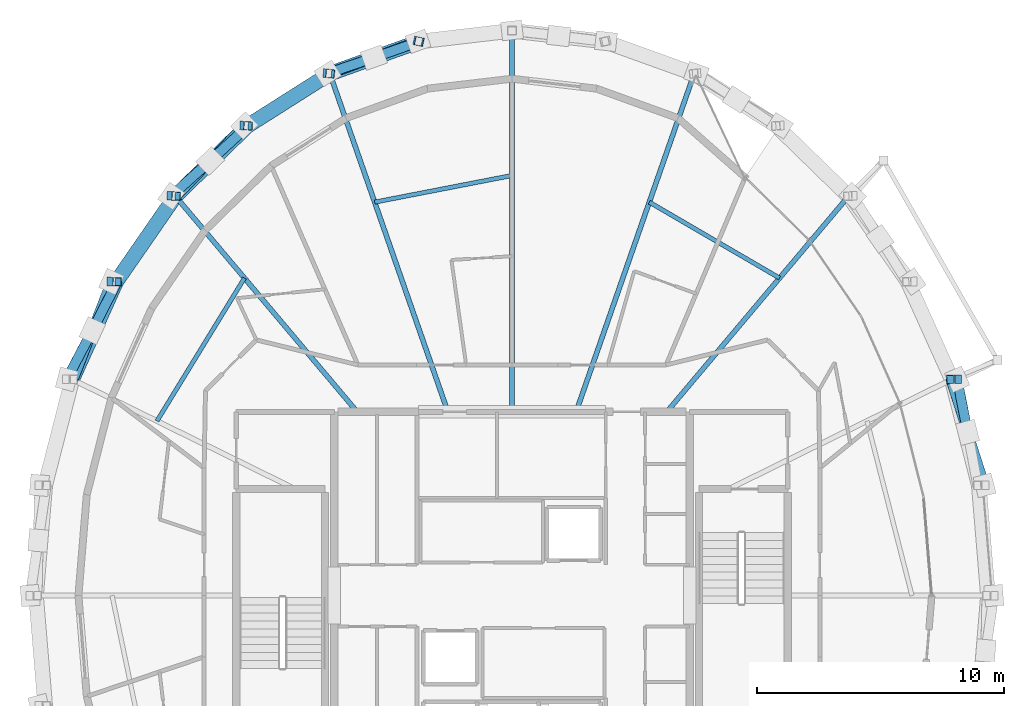
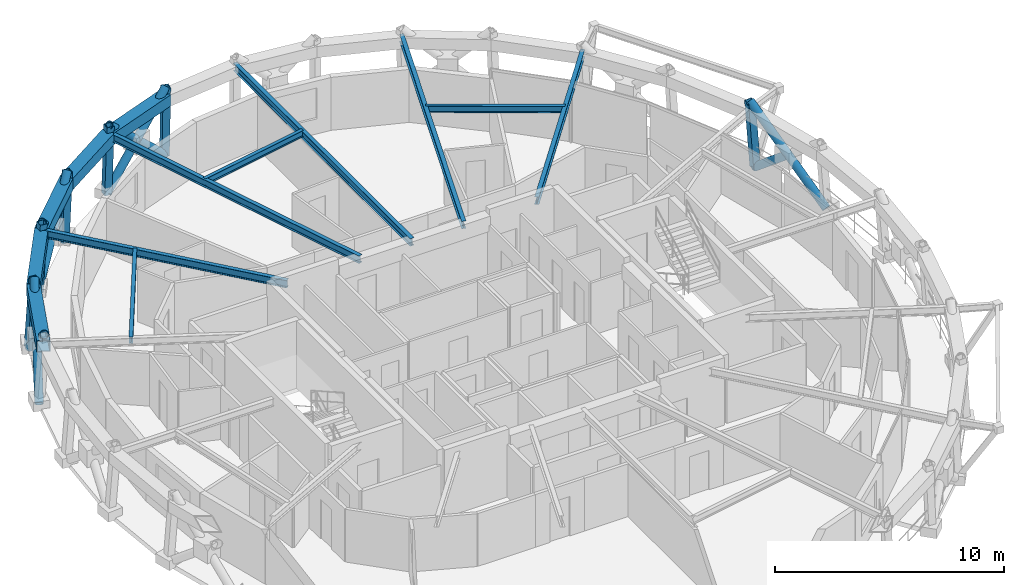
# One storey, part 6 of 14: 17 members, 13 beams.
"""IFC4 building model written with IfcOpenShell, lengths in metres."""

from ifc_helpers import new_model, si_unit, direction, frame, origin, origin_2d, place, context, subcontext, project, spatial, hollow_rectangle, hollow_circle, i_section, extrude, material, material_profile, profile_set, type_object, element, save


model = new_model("IFC4")

# Units and contexts
model_context = context("Model", 3, precision=1e-05, world=origin(), true_north=direction((0.0, 1.0)))
body_context = subcontext(model_context, "Body", "Model", "MODEL_VIEW")
ifc_project = project(units=[si_unit("LENGTHUNIT", "METRE"), si_unit("AREAUNIT", "SQUARE_METRE"), si_unit("VOLUMEUNIT", "CUBIC_METRE"), si_unit("PLANEANGLEUNIT", "RADIAN"), si_unit("MASSUNIT", "GRAM", prefix="KILO")], contexts=[model_context])

# Site, building, storey
site_placement = place(None, origin())
site = spatial("IfcSite", under=ifc_project, at=site_placement, CompositionType="ELEMENT")
building_placement = place(site_placement, origin())
building = spatial("IfcBuilding", under=site, at=building_placement, Name="Veldorina Hangang Commons", CompositionType="ELEMENT")
storey_placement = place(building_placement, frame((0.0, 0.0, 294.0)))
storey = spatial("IfcBuildingStorey", under=building, at=storey_placement, Name="L77", CompositionType="ELEMENT", Elevation=294.0)

# Beams
ifc_material_1 = material(Name="Steel SM460-TMC", Category="steel")
ifc_material_profile_1 = material_profile(ifc_material_1, hollow_rectangle(XDim=0.60009765625, YDim=0.60009765625, WallThickness=0.030029296875, at=origin_2d()), Name="BOX-600x600x30")
ifc_profile_set_1 = profile_set([ifc_material_profile_1], Name="Steel SM460-TMC")
beam_type_1 = type_object("IfcBeamType", Name="BM-BLT600", PredefinedType="BEAM", material=ifc_profile_set_1)
beam_1_placement = place(storey_placement, frame((28.235107421875, 46.4619140625, 3.0), z_axis=(-0.940889029654, -0.338714974392, 0.0), x_axis=(0.338714974392, -0.940889029654, 0.0)))
element("IfcBeam", 1, at=beam_1_placement, inside=storey, type_object=beam_type_1, Name="L77 perimeter hoop ring beam 09", PredefinedType="BEAM", context=body_context, shape_type="SweptSolid", body=[
    extrude(hollow_rectangle(XDim=0.60009765625, YDim=0.60009765625, WallThickness=0.030029296875, at=origin_2d()), origin(), (0.0, 0.0, 1.0), 3.84765625),
])
beam_2_placement = place(storey_placement, frame((24.614990234375, 45.15869140625, 3.0), z_axis=(-0.844441768272, -0.535647365341, 0.0), x_axis=(0.535647365341, -0.844441768272, 0.0)))
element("IfcBeam", 2, at=beam_2_placement, inside=storey, type_object=beam_type_1, Name="L77 perimeter hoop ring beam 10", PredefinedType="BEAM", context=body_context, shape_type="SweptSolid", body=[
    extrude(hollow_rectangle(XDim=0.60009765625, YDim=0.60009765625, WallThickness=0.030029296875, at=origin_2d()), origin(), (0.0, 0.0, 1.0), 3.95068359375),
])
beam_3_placement = place(storey_placement, frame((21.27880859375, 43.04248046875, 3.0), z_axis=(-0.716345315759, -0.697745934126, 0.0), x_axis=(0.697745934126, -0.716345315759, 0.0)))
element("IfcBeam", 3, at=beam_3_placement, inside=storey, type_object=beam_type_1, Name="L77 perimeter hoop ring beam 11", PredefinedType="BEAM", context=body_context, shape_type="SweptSolid", body=[
    extrude(hollow_rectangle(XDim=0.60009765625, YDim=0.60009765625, WallThickness=0.030029296875, at=origin_2d()), origin(), (0.0, 0.0, 1.0), 4.082275390625),
])
beam_4_placement = place(storey_placement, frame((18.3544921875, 40.194091796875, 3.0), z_axis=(-0.56877362676, -0.822494110315, 0.0), x_axis=(0.822494110315, -0.56877362676, 0.0)))
element("IfcBeam", 4, at=beam_4_placement, inside=storey, type_object=beam_type_1, Name="L77 perimeter hoop ring beam 12", PredefinedType="BEAM", context=body_context, shape_type="SweptSolid", body=[
    extrude(hollow_rectangle(XDim=0.60009765625, YDim=0.60009765625, WallThickness=0.030029296875, at=origin_2d()), origin(), (0.0, 0.0, 1.0), 4.219482421875),
])
beam_5_placement = place(storey_placement, frame((15.95458984375, 36.7236328125, 3.0), z_axis=(-0.41066155676, -0.911787851312, 0.0), x_axis=(0.911787851312, -0.41066155676, 0.0)))
element("IfcBeam", 5, at=beam_5_placement, inside=storey, type_object=beam_type_1, Name="L77 perimeter hoop ring beam 13", PredefinedType="BEAM", context=body_context, shape_type="SweptSolid", body=[
    extrude(hollow_rectangle(XDim=0.60009765625, YDim=0.60009765625, WallThickness=0.030029296875, at=origin_2d()), origin(), (0.0, 0.0, 1.0), 4.34228515625),
])
ifc_material_2 = material(Name="Steel SM355-TMC", Category="steel")
ifc_material_profile_2 = material_profile(ifc_material_2, i_section(OverallWidth=0.199951171875, OverallDepth=0.39990234375, WebThickness=0.008056640625, FlangeThickness=0.012939453125, FilletRadius=0.012939453125, at=origin_2d()), Name="H-400x200x8x13")
ifc_profile_set_2 = profile_set([ifc_material_profile_2], Name="Steel SM355-TMC")
beam_type_2 = type_object("IfcBeamType", Name="BM-FG400", PredefinedType="BEAM", material=ifc_profile_set_2)
beam_6_placement = place(storey_placement, frame((38.277587890625, 31.449951171875, 3.10009765625), z_axis=(0.644362553982, 0.764720144253, 0.0), x_axis=(-0.764720144253, 0.644362553982, 0.0)))
element("IfcBeam", 6, at=beam_6_placement, inside=storey, type_object=beam_type_2, Name="L77 radial floor girder 03", PredefinedType="BEAM", context=body_context, shape_type="SweptSolid", body=[
    extrude(i_section(OverallWidth=0.199951171875, OverallDepth=0.39990234375, WebThickness=0.008056640625, FlangeThickness=0.012939453125, FilletRadius=0.012939453125, at=origin_2d()), origin(), (0.0, 0.0, 1.0), 11.434326171875),
])
beam_7_placement = place(storey_placement, frame((34.60009765625, 31.449951171875, 3.10009765625), z_axis=(0.329543666577, 0.944140334812, 0.0), x_axis=(-0.944140334812, 0.329543666577, 0.0)))
element("IfcBeam", 7, at=beam_7_placement, inside=storey, type_object=beam_type_2, Name="L77 radial floor girder 04", PredefinedType="BEAM", context=body_context, shape_type="SweptSolid", body=[
    extrude(i_section(OverallWidth=0.199951171875, OverallDepth=0.39990234375, WebThickness=0.008056640625, FlangeThickness=0.012939453125, FilletRadius=0.012939453125, at=origin_2d()), origin(), (0.0, 0.0, 1.0), 14.519775390625),
])
beam_8_placement = place(storey_placement, frame((32.0, 31.449951171875, 3.10009765625), z_axis=(0.0, 1.0, 0.0), x_axis=(-1.0, 0.0, 0.0)))
element("IfcBeam", 8, at=beam_8_placement, inside=storey, type_object=beam_type_2, Name="L77 radial floor girder 05", PredefinedType="BEAM", context=body_context, shape_type="SweptSolid", body=[
    extrude(i_section(OverallWidth=0.199951171875, OverallDepth=0.39990234375, WebThickness=0.008056640625, FlangeThickness=0.012939453125, FilletRadius=0.012939453125, at=origin_2d()), origin(), (0.0, 0.0, 1.0), 15.4521484375),
])
beam_9_placement = place(storey_placement, frame((29.39990234375, 31.449951171875, 3.10009765625), z_axis=(-0.329543666577, 0.944140334812, 0.0), x_axis=(-0.944140334812, -0.329543666577, 0.0)))
element("IfcBeam", 9, at=beam_9_placement, inside=storey, type_object=beam_type_2, Name="L77 radial floor girder 06", PredefinedType="BEAM", context=body_context, shape_type="SweptSolid", body=[
    extrude(i_section(OverallWidth=0.199951171875, OverallDepth=0.39990234375, WebThickness=0.008056640625, FlangeThickness=0.012939453125, FilletRadius=0.012939453125, at=origin_2d()), origin(), (0.0, 0.0, 1.0), 14.519775390625),
])
beam_10_placement = place(storey_placement, frame((25.722412109375, 31.449951171875, 3.10009765625), z_axis=(-0.644362553982, 0.764720144253, 0.0), x_axis=(-0.764720144253, -0.644362553982, 0.0)))
element("IfcBeam", 10, at=beam_10_placement, inside=storey, type_object=beam_type_2, Name="L77 radial floor girder 07", PredefinedType="BEAM", context=body_context, shape_type="SweptSolid", body=[
    extrude(i_section(OverallWidth=0.199951171875, OverallDepth=0.39990234375, WebThickness=0.008056640625, FlangeThickness=0.012939453125, FilletRadius=0.012939453125, at=origin_2d()), origin(), (0.0, 0.0, 1.0), 11.434326171875),
])
ifc_material_profile_3 = material_profile(ifc_material_2, i_section(OverallWidth=0.175048828125, OverallDepth=0.35009765625, WebThickness=0.007080078125, FlangeThickness=0.010986328125, FilletRadius=0.012939453125, at=origin_2d()), Name="H-350x175x7x11")
ifc_profile_set_3 = profile_set([ifc_material_profile_3], Name="Steel SM355-TMC")
beam_type_3 = type_object("IfcBeamType", Name="BM-JST350", PredefinedType="JOIST", material=ifc_profile_set_3)
beam_11_placement = place(storey_placement, frame((42.845703125, 36.871337890625, 3.125), z_axis=(-0.863873072181, 0.503709554366, 0.0), x_axis=(-0.503709554366, -0.863873072181, 0.0)))
element("IfcBeam", 11, at=beam_11_placement, inside=storey, type_object=beam_type_3, Name="L77 secondary floor joist 03", PredefinedType="JOIST", context=body_context, shape_type="SweptSolid", body=[
    extrude(i_section(OverallWidth=0.175048828125, OverallDepth=0.35009765625, WebThickness=0.007080078125, FlangeThickness=0.010986328125, FilletRadius=0.012939453125, at=origin_2d()), origin(), (0.0, 0.0, 1.0), 6.11083984375),
])
beam_12_placement = place(storey_placement, frame((32.0, 41.0302734375, 3.125), z_axis=(-0.981668009101, -0.190598845502, 0.0), x_axis=(0.190598845502, -0.981668009101, 0.0)))
element("IfcBeam", 12, at=beam_12_placement, inside=storey, type_object=beam_type_3, Name="L77 secondary floor joist 05", PredefinedType="JOIST", context=body_context, shape_type="SweptSolid", body=[
    extrude(i_section(OverallWidth=0.175048828125, OverallDepth=0.35009765625, WebThickness=0.007080078125, FlangeThickness=0.010986328125, FilletRadius=0.012939453125, at=origin_2d()), origin(), (0.0, 0.0, 1.0), 5.670654296875),
])
beam_13_placement = place(storey_placement, frame((21.154296875, 36.871337890625, 3.125), z_axis=(-0.522057328624, -0.852910397187, 0.0), x_axis=(0.852910397187, -0.522057328624, 0.0)))
element("IfcBeam", 13, at=beam_13_placement, inside=storey, type_object=beam_type_3, Name="L77 secondary floor joist 07", PredefinedType="JOIST", context=body_context, shape_type="SweptSolid", body=[
    extrude(i_section(OverallWidth=0.175048828125, OverallDepth=0.35009765625, WebThickness=0.007080078125, FlangeThickness=0.010986328125, FilletRadius=0.012939453125, at=origin_2d()), origin(), (0.0, 0.0, 1.0), 6.79541015625),
])

# Members
ifc_material_profile_4 = material_profile(ifc_material_2, hollow_circle(Radius=0.199951171875, WallThickness=0.02001953125, at=origin_2d()), Name="CHS-400x20")
ifc_profile_set_4 = profile_set([ifc_material_profile_4], Name="Steel SM355-TMC")
member_type_1 = type_object("IfcMemberType", Name="DG-CHS400", PredefinedType="BRACE", material=ifc_profile_set_4)
member_1_placement = place(storey_placement, frame((51.16064453125, 28.469970703125, 0.0), z_axis=(-0.238489118624, 0.744157139837, 0.623981643582), x_axis=(-0.952290762564, -0.305192240294, 0.0)))
element("IfcMember", 14, at=member_1_placement, inside=storey, type_object=member_type_1, Name="L77 continuous perimeter diagrid brace 01", PredefinedType="BRACE", context=body_context, shape_type="SweptSolid", body=[
    extrude(hollow_circle(Radius=0.199951171875, WallThickness=0.02001953125, at=origin_2d()), origin(), (0.0, 0.0, 1.0), 5.76953125),
])
member_2_placement = place(storey_placement, frame((50.048828125, 32.76806640625, 0.0), z_axis=(0.149245991795, -0.75793552696, 0.635027063128), x_axis=(0.981159154887, 0.193201223549, 0.0)))
element("IfcMember", 15, at=member_2_placement, inside=storey, type_object=member_type_1, Name="L77 split perimeter diagrid lower brace 02", PredefinedType="BRACE", context=body_context, shape_type="SweptSolid", body=[
    extrude(hollow_circle(Radius=0.199951171875, WallThickness=0.02001953125, at=origin_2d()), origin(), (0.0, 0.0, 1.0), 2.83642578125),
])
member_3_placement = place(storey_placement, frame((28.188720703125, 46.471923828125, 0.0), z_axis=(-0.680079600593, -0.251568276344, 0.688625543524), x_axis=(0.346934672871, -0.937889296644, 0.0)))
element("IfcMember", 16, at=member_3_placement, inside=storey, type_object=member_type_1, Name="L77 continuous perimeter diagrid brace 09", PredefinedType="BRACE", context=body_context, shape_type="SweptSolid", body=[
    extrude(hollow_circle(Radius=0.199951171875, WallThickness=0.02001953125, at=origin_2d()), origin(), (0.0, 0.0, 1.0), 5.22802734375),
])
member_4_placement = place(storey_placement, frame((24.52392578125, 45.16796875, 0.0), z_axis=(0.698359985855, 0.239089659307, 0.674632837156), x_axis=(-0.323902374332, 0.946090509361, 0.0)))
element("IfcMember", 17, at=member_4_placement, inside=storey, type_object=member_type_1, Name="L77 split perimeter diagrid lower brace 10", PredefinedType="BRACE", context=body_context, shape_type="SweptSolid", body=[
    extrude(hollow_circle(Radius=0.199951171875, WallThickness=0.02001953125, at=origin_2d()), origin(), (0.0, 0.0, 1.0), 2.685546875),
])
member_5_placement = place(storey_placement, frame((26.3994140625, 45.81005859375, 1.811767578125), z_axis=(0.696120480621, 0.245212745721, 0.674749572654), x_axis=(-0.332245543648, 0.943192927627, 0.0)))
element("IfcMember", 18, at=member_5_placement, inside=storey, type_object=member_type_1, Name="L77 split perimeter diagrid upper brace 10", PredefinedType="BRACE", context=body_context, shape_type="SweptSolid", body=[
    extrude(hollow_circle(Radius=0.199951171875, WallThickness=0.02001953125, at=origin_2d()), origin(), (0.0, 0.0, 1.0), 2.650390625),
])
member_6_placement = place(storey_placement, frame((21.146484375, 43.05078125, 0.0), z_axis=(-0.514533388058, -0.533160061426, 0.671562165011), x_axis=(0.719564539118, -0.694425571278, 0.0)))
element("IfcMember", 19, at=member_6_placement, inside=storey, type_object=member_type_1, Name="L77 continuous perimeter diagrid brace 11", PredefinedType="BRACE", context=body_context, shape_type="SweptSolid", body=[
    extrude(hollow_circle(Radius=0.199951171875, WallThickness=0.02001953125, at=origin_2d()), origin(), (0.0, 0.0, 1.0), 5.36083984375),
])
member_7_placement = place(storey_placement, frame((18.18603515625, 40.201416015625, 0.0), z_axis=(0.566056802488, 0.508179577137, 0.64910185159), x_axis=(-0.668040711001, 0.744124726404, 0.0)))
element("IfcMember", 20, at=member_7_placement, inside=storey, type_object=member_type_1, Name="L77 split perimeter diagrid lower brace 12", PredefinedType="BRACE", context=body_context, shape_type="SweptSolid", body=[
    extrude(hollow_circle(Radius=0.199951171875, WallThickness=0.02001953125, at=origin_2d()), origin(), (0.0, 0.0, 1.0), 2.783935546875),
])
member_8_placement = place(storey_placement, frame((19.761962890625, 41.6162109375, 1.80712890625), z_axis=(0.558901953681, 0.515848291637, 0.64925275986), x_axis=(-0.678236652334, 0.734843550309, 0.0)))
element("IfcMember", 21, at=member_8_placement, inside=storey, type_object=member_type_1, Name="L77 split perimeter diagrid upper brace 12", PredefinedType="BRACE", context=body_context, shape_type="SweptSolid", body=[
    extrude(hollow_circle(Radius=0.199951171875, WallThickness=0.02001953125, at=origin_2d()), origin(), (0.0, 0.0, 1.0), 2.761474609375),
])
member_9_placement = place(storey_placement, frame((15.75634765625, 36.729248046875, 0.0), z_axis=(-0.27649304039, -0.711557818138, 0.645938905828), x_axis=(0.932103708122, -0.362191492592, 0.0)))
element("IfcMember", 22, at=member_9_placement, inside=storey, type_object=member_type_1, Name="L77 continuous perimeter diagrid brace 13", PredefinedType="BRACE", context=body_context, shape_type="SweptSolid", body=[
    extrude(hollow_circle(Radius=0.199951171875, WallThickness=0.02001953125, at=origin_2d()), origin(), (0.0, 0.0, 1.0), 5.573486328125),
])
member_10_placement = place(storey_placement, frame((13.951171875, 32.76806640625, 0.0), z_axis=(0.360478942244, 0.689023180179, 0.628730458443), x_axis=(-0.8860629205, 0.463564991037, 0.0)))
element("IfcMember", 23, at=member_10_placement, inside=storey, type_object=member_type_1, Name="L77 split perimeter diagrid lower brace 14", PredefinedType="BRACE", context=body_context, shape_type="SweptSolid", body=[
    extrude(hollow_circle(Radius=0.199951171875, WallThickness=0.02001953125, at=origin_2d()), origin(), (0.0, 0.0, 1.0), 2.866943359375),
])
member_11_placement = place(storey_placement, frame((14.984619140625, 34.743408203125, 1.802490234375), z_axis=(0.353231202547, 0.692538176311, 0.628982187267), x_axis=(-0.890816332427, 0.454363578955, 0.0)))
element("IfcMember", 24, at=member_11_placement, inside=storey, type_object=member_type_1, Name="L77 split perimeter diagrid upper brace 14", PredefinedType="BRACE", context=body_context, shape_type="SweptSolid", body=[
    extrude(hollow_circle(Radius=0.199951171875, WallThickness=0.02001953125, at=origin_2d()), origin(), (0.0, 0.0, 1.0), 2.85791015625),
])
ifc_material_profile_5 = material_profile(ifc_material_2, hollow_rectangle(XDim=0.35009765625, YDim=0.35009765625, WallThickness=0.01611328125, at=origin_2d()), Name="SHS-350x350x16")
ifc_profile_set_5 = profile_set([ifc_material_profile_5], Name="Steel SM355-TMC")
member_type_2 = type_object("IfcMemberType", Name="STR-SHS350", PredefinedType="STRUT", material=ifc_profile_set_5)
member_12_placement = place(storey_placement, frame((50.048828125, 32.76806640625, 0.0), z_axis=(-0.073179036176, -0.001285029286, 0.997317992099), x_axis=(0.017557367184, -0.999845857549, 0.0)))
element("IfcMember", 25, at=member_12_placement, inside=storey, type_object=member_type_2, Name="L77 perimeter ring node post 02", PredefinedType="STRUT", context=body_context, shape_type="SweptSolid", body=[
    extrude(hollow_rectangle(XDim=0.35009765625, YDim=0.35009765625, WallThickness=0.01611328125, at=origin_2d()), origin(), (0.0, 0.0, 1.0), 3.60986328125),
])
member_13_placement = place(storey_placement, frame((28.188720703125, 46.471923828125, 0.0), z_axis=(0.015459886941, -0.003322519562, 0.999874968563), x_axis=(0.210114736821, 0.977676734596, 0.0)))
element("IfcMember", 26, at=member_13_placement, inside=storey, type_object=member_type_2, Name="L77 perimeter ring node post 09", PredefinedType="STRUT", context=body_context, shape_type="SweptSolid", body=[
    extrude(hollow_rectangle(XDim=0.35009765625, YDim=0.35009765625, WallThickness=0.01611328125, at=origin_2d()), origin(), (0.0, 0.0, 1.0), 3.6005859375),
])
member_14_placement = place(storey_placement, frame((24.52392578125, 45.16796875, 0.0), z_axis=(0.030366961309, -0.003118036206, 0.999533954156), x_axis=(0.102141549646, 0.994769874813, 0.0)))
element("IfcMember", 27, at=member_14_placement, inside=storey, type_object=member_type_2, Name="L77 perimeter ring node post 10", PredefinedType="STRUT", context=body_context, shape_type="SweptSolid", body=[
    extrude(hollow_rectangle(XDim=0.35009765625, YDim=0.35009765625, WallThickness=0.01611328125, at=origin_2d()), origin(), (0.0, 0.0, 1.0), 3.601806640625),
])
member_15_placement = place(storey_placement, frame((21.146484375, 43.05078125, 0.0), z_axis=(0.044104436111, -0.002777698741, 0.999023064351), x_axis=(0.062855496422, 0.998022638305, 0.0)))
element("IfcMember", 28, at=member_15_placement, inside=storey, type_object=member_type_2, Name="L77 perimeter ring node post 11", PredefinedType="STRUT", context=body_context, shape_type="SweptSolid", body=[
    extrude(hollow_rectangle(XDim=0.35009765625, YDim=0.35009765625, WallThickness=0.01611328125, at=origin_2d()), origin(), (0.0, 0.0, 1.0), 3.603515625),
])
member_16_placement = place(storey_placement, frame((18.18603515625, 40.201416015625, 0.0), z_axis=(0.056062343417, -0.002437493192, 0.998424294715), x_axis=(0.043437224276, 0.999056158355, 0.0)))
element("IfcMember", 29, at=member_16_placement, inside=storey, type_object=member_type_2, Name="L77 perimeter ring node post 12", PredefinedType="STRUT", context=body_context, shape_type="SweptSolid", body=[
    extrude(hollow_rectangle(XDim=0.35009765625, YDim=0.35009765625, WallThickness=0.01611328125, at=origin_2d()), origin(), (0.0, 0.0, 1.0), 3.605712890625),
])
member_17_placement = place(storey_placement, frame((15.75634765625, 36.729248046875, 0.0), z_axis=(0.065908083626, -0.001827020799, 0.997824025822), x_axis=(0.0277100945, 0.999616001604, 0.0)))
element("IfcMember", 30, at=member_17_placement, inside=storey, type_object=member_type_2, Name="L77 perimeter ring node post 13", PredefinedType="STRUT", context=body_context, shape_type="SweptSolid", body=[
    extrude(hollow_rectangle(XDim=0.35009765625, YDim=0.35009765625, WallThickness=0.01611328125, at=origin_2d()), origin(), (0.0, 0.0, 1.0), 3.60791015625),
])

save(model, "model.ifc")
